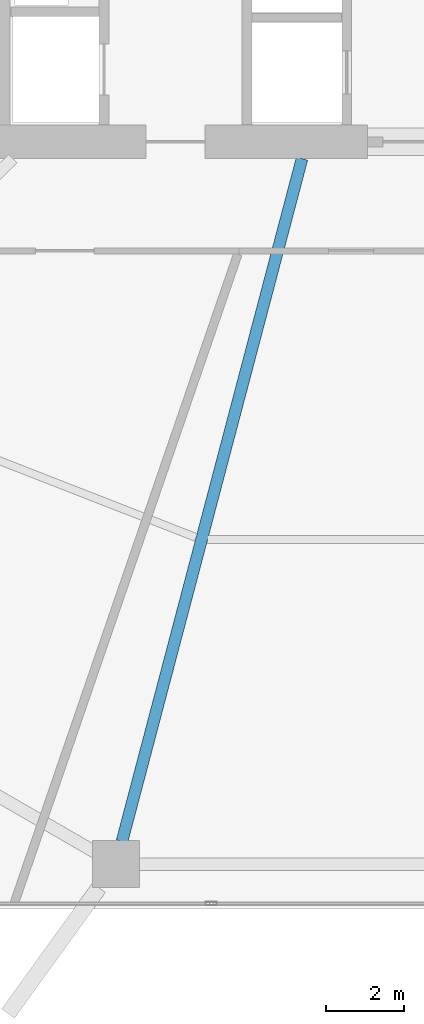
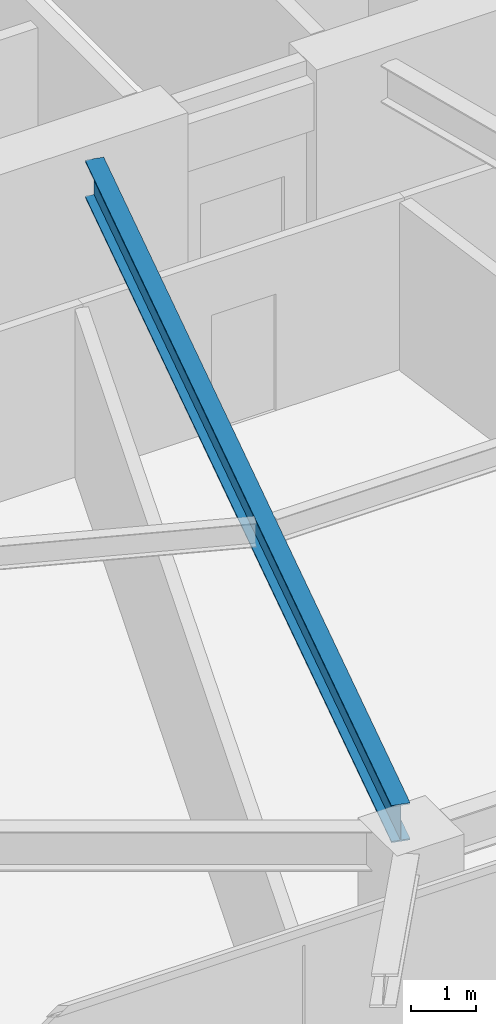
# One storey, part 4 of 25: 1 beam.
"""IFC4 building model written with IfcOpenShell, lengths in metres."""

import ifcopenshell
import ifcopenshell.guid

model = None  # the IFC model being written
_history = None  # IfcOwnerHistory: only IFC2X3 demands one
_inside = {}  # id of a spatial element -> (the spatial element, [elements in it])
_under = {}  # id of a project, library or spatial element -> (it, [spatial elements below it])
_declared = {}  # id of a project -> (the project, [libraries it declares])
_typed = {}  # id of a type object -> (the type object, [elements of that type])
_made_of = {}  # id of a material, layer set ... -> (it, [elements and type objects made of it])


def new_model(schema):
    """Start an empty IFC model of exactly this schema.

    Asked for "IFC4X3", IfcOpenShell would pick the latest addendum, in which some entities
    have other attributes; the version numbers below select the first issue.
    IFC2X3 requires an IfcOwnerHistory on every rooted entity: one is made here for all.
    """
    global model, _history
    if schema == "IFC4X3":
        model = ifcopenshell.file(schema_version=(4, 3, 0, 0))
    else:
        model = ifcopenshell.file(schema=schema)
    _inside.clear()
    _under.clear()
    _declared.clear()
    _typed.clear()
    _made_of.clear()
    _history = None
    if model.schema == "IFC2X3":
        org = make("IfcOrganization", Name="unknown")
        user = make(
            "IfcPersonAndOrganization",
            ThePerson=make("IfcPerson", FamilyName="unknown"),
            TheOrganization=org,
        )
        app = make(
            "IfcApplication",
            ApplicationDeveloper=org,
            Version="unknown",
            ApplicationFullName="unknown",
            ApplicationIdentifier="unknown",
        )
        _history = make(
            "IfcOwnerHistory",
            OwningUser=user,
            OwningApplication=app,
            ChangeAction="ADDED",
            CreationDate=0,
        )
    return model


def make(cls, **values):
    """One entity of the class cls with the attributes given. An attribute that is None is left unset."""
    return model.create_entity(
        cls, **{name: value for name, value in values.items() if value is not None}
    )


def rooted(cls, **values):
    """An entity with a GlobalId (a new one), such as an element, a storey or a relation."""
    return make(cls, GlobalId=ifcopenshell.guid.new(), OwnerHistory=_history, **values)


def si_unit(unit_type, name, prefix=None):
    """IfcSIUnit, for example si_unit("LENGTHUNIT", "METRE", prefix="MILLI")."""
    return make("IfcSIUnit", UnitType=unit_type, Prefix=prefix, Name=name)


def assignment(units):
    """IfcUnitAssignment: the units of a project."""
    return None if units is None else make("IfcUnitAssignment", Units=units)


def point(xyz):
    """IfcCartesianPoint."""
    return None if xyz is None else make("IfcCartesianPoint", Coordinates=xyz)


def direction(xyz):
    """IfcDirection."""
    return None if xyz is None else make("IfcDirection", DirectionRatios=xyz)


def frame(location, z_axis=None, x_axis=None):
    """IfcAxis2Placement3D, a coordinate frame: its origin and axes. An axis left out is left unset."""
    return make(
        "IfcAxis2Placement3D",
        Location=point(location),
        Axis=direction(z_axis),
        RefDirection=direction(x_axis),
    )


def frame_2d(location, x_axis=None):
    """IfcAxis2Placement2D, a coordinate frame in the plane: its origin and x axis."""
    return make(
        "IfcAxis2Placement2D", Location=point(location), RefDirection=direction(x_axis)
    )


def origin():
    """The frame at (0, 0, 0) with its axes left unset."""
    return frame((0.0, 0.0, 0.0))


def origin_2d():
    """The frame at (0, 0) in the plane with its x axis left unset."""
    return frame_2d((0.0, 0.0))


def place(relative_to, where):
    """IfcLocalPlacement: puts the frame where relative to a parent placement (None: the world)."""
    return make(
        "IfcLocalPlacement", PlacementRelTo=relative_to, RelativePlacement=where
    )


def context(
    kind, dimensions, precision=None, world=None, true_north=None, identifier=None
):
    """IfcGeometricRepresentationContext, for example the 3D "Model" context."""
    return make(
        "IfcGeometricRepresentationContext",
        ContextIdentifier=identifier,
        ContextType=kind,
        CoordinateSpaceDimension=dimensions,
        Precision=precision,
        WorldCoordinateSystem=world,
        TrueNorth=true_north,
    )


def subcontext(parent, identifier, kind, view, scale=None):
    """IfcGeometricRepresentationSubContext, for example "Body" below "Model"."""
    return make(
        "IfcGeometricRepresentationSubContext",
        ContextIdentifier=identifier,
        ContextType=kind,
        ParentContext=parent,
        TargetScale=scale,
        TargetView=view,
    )


def project(units=None, contexts=None):
    """IfcProject with its units and contexts."""
    return rooted(
        "IfcProject",
        Name="project",
        RepresentationContexts=contexts,
        UnitsInContext=assignment(units),
    )


def spatial(cls, under=None, at=None, **own):
    """A site, building, storey or space (cls), placed at a placement, below another one or the project."""
    s = rooted(cls, ObjectPlacement=at, **own)
    if under is not None:
        _under.setdefault(under.id(), (under, []))[1].append(s)
    return s


def profile(cls, at=None, kind="AREA", **sizes):
    """A parametric profile (cls). Its sizes go by their IFC names, for example OverallWidth=200.0."""
    return make(cls, ProfileType=kind, Position=at, **sizes)


def i_section(**sizes):
    """IfcIShapeProfileDef."""
    return profile("IfcIShapeProfileDef", **sizes)


def extrude(swept, where, along, depth):
    """IfcExtrudedAreaSolid: the profile swept, set in the frame where, extruded along a direction by depth."""
    return make(
        "IfcExtrudedAreaSolid",
        SweptArea=swept,
        Position=where,
        ExtrudedDirection=direction(along),
        Depth=depth,
    )


def shape(context_of_items, identifier, shape_type, items):
    """IfcShapeRepresentation: the items that make up one representation, for example the "Body"."""
    return make(
        "IfcShapeRepresentation",
        ContextOfItems=context_of_items,
        RepresentationIdentifier=identifier,
        RepresentationType=shape_type,
        Items=items,
    )


def material(Name=None, Category=None):
    """IfcMaterial."""
    return make("IfcMaterial", Name=Name, Category=Category)


def material_profile(
    of_material, cross_section, Name=None, Category=None, Priority=None
):
    """IfcMaterialProfile: a cross section and its material."""
    return make(
        "IfcMaterialProfile",
        Name=Name,
        Material=of_material,
        Profile=cross_section,
        Priority=Priority,
        Category=Category,
    )


def profile_set(profiles, Name=None, composite=None):
    """IfcMaterialProfileSet."""
    return make(
        "IfcMaterialProfileSet",
        Name=Name,
        MaterialProfiles=profiles,
        CompositeProfile=composite,
    )


def made_of(thing, what):
    """Note that an element or type object is made of a material, layer set ...; save() writes the relation."""
    if what is not None:
        _made_of.setdefault(what.id(), (what, []))[1].append(thing)
    return thing


def type_object(cls, material=None, **own):
    """A type object (cls), such as IfcWallType, which elements share."""
    return made_of(rooted(cls, **own), material)


def element(
    cls,
    number,
    at=None,
    inside=None,
    cuts=None,
    type_object=None,
    material=None,
    context=None,
    identifier="Body",
    shape_type=None,
    held_by="IfcProductDefinitionShape",
    body=None,
    shapes=None,
    **own,
):
    """One element of the class cls, such as IfcWall. Its Tag is "e" and its number.

    at: its placement. inside: the storey or other place that contains it. cuts: it is an
    opening in that element (IfcRelVoidsElement). A single representation is given by context,
    identifier, shape_type and body (its items); several are given by shapes. held_by: the class
    of the entity that holds the representations. save() writes the other relations.
    """
    e = rooted(cls, Tag="e%d" % number, ObjectPlacement=at, **own)
    if body is not None:
        shapes = [shape(context, identifier, shape_type, body)]
    if shapes is not None:
        e.Representation = make(held_by, Representations=shapes)
    if inside is not None:
        _inside.setdefault(inside.id(), (inside, []))[1].append(e)
    if cuts is not None:
        rooted(
            "IfcRelVoidsElement", RelatingBuildingElement=cuts, RelatedOpeningElement=e
        )
    if type_object is not None:
        _typed.setdefault(type_object.id(), (type_object, []))[1].append(e)
    return made_of(e, material)


def aggregate(whole, parts):
    """IfcRelAggregates: a whole, such as a stair, and the parts it consists of."""
    return rooted("IfcRelAggregates", RelatingObject=whole, RelatedObjects=parts)


def save(model, path):
    """Write the relations noted so far, then the file.

    IfcRelAggregates (storeys below a building ...), IfcRelContainedInSpatialStructure (elements
    in a storey), IfcRelDefinesByType, IfcRelAssociatesMaterial and IfcRelDeclares: one each for
    every whole, place, type object, material and project.
    """
    for whole, parts in _under.values():
        aggregate(whole, parts)
    for where, things in _inside.values():
        rooted(
            "IfcRelContainedInSpatialStructure",
            RelatedElements=things,
            RelatingStructure=where,
        )
    for kind, things in _typed.values():
        rooted("IfcRelDefinesByType", RelatedObjects=things, RelatingType=kind)
    for what, things in _made_of.values():
        rooted("IfcRelAssociatesMaterial", RelatedObjects=things, RelatingMaterial=what)
    for by, libraries in _declared.values():
        rooted("IfcRelDeclares", RelatingContext=by, RelatedDefinitions=libraries)
    model.write(path)


model = new_model("IFC4")

# Units and contexts
model_context = context("Model", 3, precision=1e-05, world=origin(), true_north=direction((0.0, 1.0)))
body_context = subcontext(model_context, "Body", "Model", "MODEL_VIEW")
ifc_project = project(units=[si_unit("LENGTHUNIT", "METRE"), si_unit("AREAUNIT", "SQUARE_METRE"), si_unit("VOLUMEUNIT", "CUBIC_METRE"), si_unit("PLANEANGLEUNIT", "RADIAN"), si_unit("MASSUNIT", "GRAM", prefix="KILO")], contexts=[model_context])

# Site, building, storey
site_placement = place(None, origin())
site = spatial("IfcSite", under=ifc_project, at=site_placement, CompositionType="ELEMENT")
building_placement = place(site_placement, origin())
building = spatial("IfcBuilding", under=site, at=building_placement, Name="Zuhravey Tower", CompositionType="ELEMENT")
storey_placement = place(building_placement, frame((0.0, 0.0, 20.39990234375)))
storey = spatial("IfcBuildingStorey", under=building, at=storey_placement, Name="L05", CompositionType="ELEMENT", Elevation=20.39990234375)

# Beam
ifc_material = material(Name="Steel SM355", Category="steel")
ifc_material_profile = material_profile(ifc_material, i_section(OverallWidth=0.300048828125, OverallDepth=0.699951171875, WebThickness=0.012939453125, FlangeThickness=0.02392578125, at=origin_2d()), Name="H-700x300x13x24")
ifc_profile_set = profile_set([ifc_material_profile], Name="Steel SM355")
beam_type = type_object("IfcBeamType", Name="Radial Primary Girder H700x300", PredefinedType="BEAM", material=ifc_profile_set)
beam_placement = place(storey_placement, frame((33.382080078125, 22.072021484375, 3.570068359375), z_axis=(-0.254989720435, -0.966943763862, 0.0), x_axis=(0.966943763862, -0.254989720435, 0.0)))
element("IfcBeam", 1, at=beam_placement, inside=storey, type_object=beam_type, Name="L05 RG1 BM-L05-RAD-09", PredefinedType="BEAM", context=body_context, shape_type="SweptSolid", body=[
    extrude(i_section(OverallWidth=0.300048828125, OverallDepth=0.699951171875, WebThickness=0.012939453125, FlangeThickness=0.02392578125, at=origin_2d()), origin(), (0.0, 0.0, 1.0), 18.03369140625),
])

save(model, "model.ifc")
